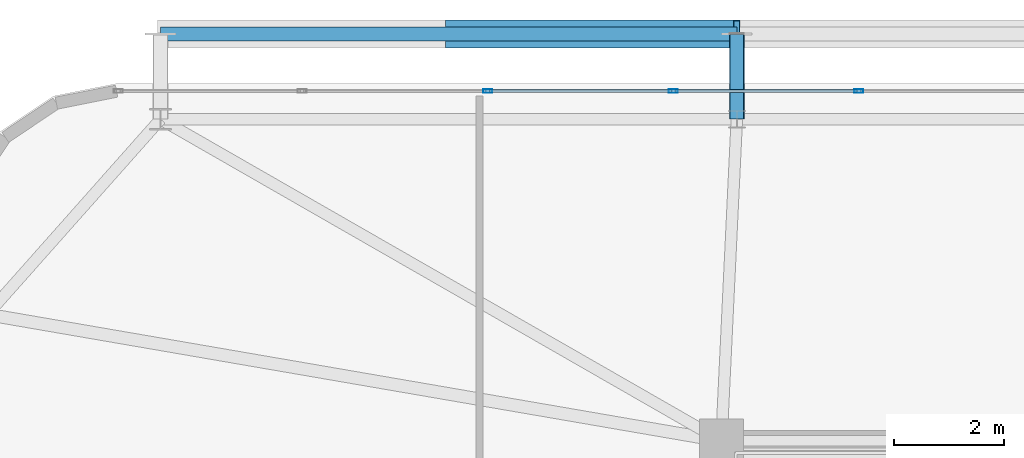
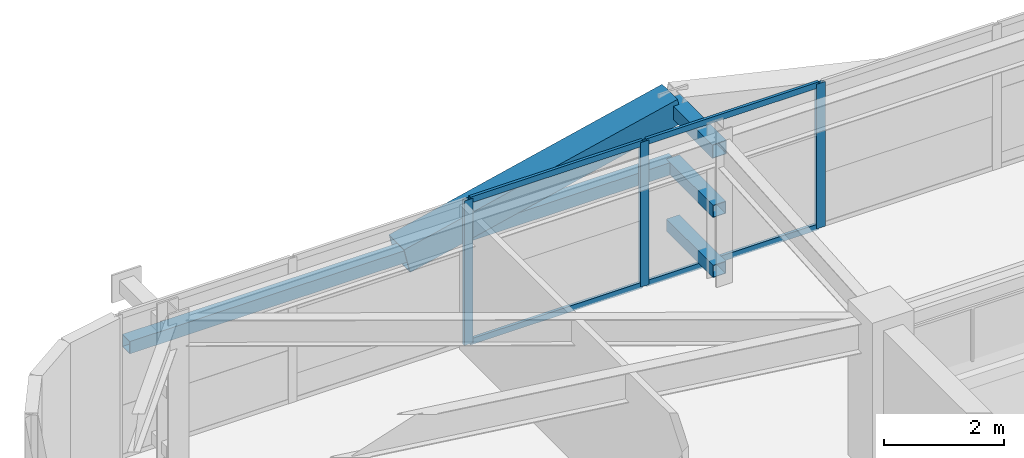
# One storey, part 35 of 58: 12 members, 1 element without a shape of its own.
"""IFC4 building model written with IfcOpenShell, lengths in metres."""

from ifc_helpers import new_model, si_unit, direction, frame, origin, origin_2d, place, context, subcontext, project, spatial, hollow_rectangle, extrude, source, transform, mapped, material, layer, layer_set, material_profile, profile_set, type_object, element, aggregate, save


model = new_model("IFC4")

# Units and contexts
model_context = context("Model", 3, precision=1e-05, world=origin(), true_north=direction((0.0, 1.0)))
body_context = subcontext(model_context, "Body", "Model", "MODEL_VIEW")
ifc_project = project(units=[si_unit("LENGTHUNIT", "METRE"), si_unit("AREAUNIT", "SQUARE_METRE"), si_unit("VOLUMEUNIT", "CUBIC_METRE"), si_unit("PLANEANGLEUNIT", "RADIAN"), si_unit("MASSUNIT", "GRAM", prefix="KILO")], contexts=[model_context])

# Site, building, storey
site_placement = place(None, origin())
site = spatial("IfcSite", under=ifc_project, at=site_placement, CompositionType="ELEMENT")
building_placement = place(site_placement, origin())
building = spatial("IfcBuilding", under=site, at=building_placement, Name="Taldren Reach Tower", CompositionType="ELEMENT")
storey_placement = place(building_placement, frame((0.0, 0.0, 35.699951171875)))
storey = spatial("IfcBuildingStorey", under=building, at=storey_placement, Name="L10", CompositionType="ELEMENT", Elevation=35.699951171875)

# Members
ifc_material_1 = material(Name="Steel Gr 450 (C450L0)", Category="steel")
ifc_material_profile_1 = material_profile(ifc_material_1, hollow_rectangle(XDim=0.27490234375, YDim=0.27490234375, WallThickness=0.00927734375, at=origin_2d()), Name="275x275x9.3SHS")
ifc_profile_set_1 = profile_set([ifc_material_profile_1], Name="Steel Gr 450 (C450L0)")
member_type_1 = type_object("IfcMemberType", Name="MB-TIE273", PredefinedType="STRUT", material=ifc_profile_set_1)
shared_shape_1 = source(origin(), body_context, "Body", "SweptSolid", [
    extrude(hollow_rectangle(XDim=0.27490234375, YDim=0.27490234375, WallThickness=0.00927734375, at=origin_2d()), origin(), (0.0, 0.0, 1.0), 1.5498046875),
])
member_1_placement = place(storey_placement, frame((19.280029296875, 37.85009765625, 2.650146484375), z_axis=(0.0, 1.0, 0.0), x_axis=(-1.0, 0.0, 0.0)))
element("IfcMember", 1, at=member_1_placement, inside=storey, type_object=member_type_1, Name="Exoskeleton diaphragm tie strut B1-N2 L10", PredefinedType="STRUT", context=body_context, shape_type="MappedRepresentation", body=[
    mapped(shared_shape_1, transform((0.0, 0.0, 0.0), scale=1.0)),
])
ifc_material_profile_2 = material_profile(ifc_material_1, hollow_rectangle(XDim=0.510009765625, YDim=0.510009765625, WallThickness=0.02001953125, at=origin_2d()), Name="510x510x20.0SHS")
ifc_profile_set_2 = profile_set([ifc_material_profile_2], Name="Steel Gr 450 (C450L0)")
member_type_2 = type_object("IfcMemberType", Name="MB-EXO508", PredefinedType="BRACE", material=ifc_profile_set_2)
shared_shape_2 = source(origin(), body_context, "Body", "SweptSolid", [
    extrude(hollow_rectangle(XDim=0.510009765625, YDim=0.510009765625, WallThickness=0.02001953125, at=origin_2d()), origin(), (0.0, 0.0, 1.0), 5.37890625),
])
member_2_placement = place(storey_placement, frame((14.0400390625, 39.39990234375, 1.43505859375), z_axis=(0.97415197996, 0.0, 0.225893603143), x_axis=(0.0, 1.0, 0.0)))
element("IfcMember", 2, at=member_2_placement, inside=storey, type_object=member_type_2, Name="Exoskeleton Diagrid Brace B1-N1 L10", PredefinedType="BRACE", context=body_context, shape_type="MappedRepresentation", body=[
    mapped(shared_shape_2, transform((0.0, 0.0, 0.0), scale=1.0)),
])
ifc_material_2 = material(Name="Steel Gr 350 (C350L0)", Category="steel")
ifc_material_profile_3 = material_profile(ifc_material_2, hollow_rectangle(XDim=0.25, YDim=0.25, WallThickness=0.010009765625, at=origin_2d()), Name="250x250x10.0SHS")
ifc_profile_set_3 = profile_set([ifc_material_profile_3], Name="Steel Gr 350 (C350L0)")
member_type_3 = type_object("IfcMemberType", Name="MB-POST250", PredefinedType="POST", material=ifc_profile_set_3)
shared_shape_3 = source(origin(), body_context, "Body", "SweptSolid", [
    extrude(hollow_rectangle(XDim=0.25, YDim=0.25, WallThickness=0.010009765625, at=origin_2d()), origin(), (0.0, 0.0, 1.0), 10.47998046875),
])
member_3_placement = place(storey_placement, frame((8.800048828125, 39.39990234375, 1.43505859375), z_axis=(1.0, 0.0, 0.0), x_axis=(0.0, 1.0, 0.0)))
element("IfcMember", 3, at=member_3_placement, inside=storey, type_object=member_type_3, Name="Exoskeleton mid-height ring chord B1-N1 L10", PredefinedType="POST", context=body_context, shape_type="MappedRepresentation", body=[
    mapped(shared_shape_3, transform((0.0, 0.0, 0.0), scale=1.0)),
])
shared_shape_4 = source(origin(), body_context, "Body", "SweptSolid", [
    extrude(hollow_rectangle(XDim=0.25, YDim=0.25, WallThickness=0.010009765625, at=origin_2d()), origin(), (0.0, 0.0, 1.0), 1.5498046875),
])
for number, where, z_axis, x_axis, name in (
    (4, (19.280029296875, 37.85009765625, 0.219970703125), (0.0, 1.0, 0.0), (-1.0, 0.0, 0.0), "Exoskeleton base diaphragm tie strut B1-N2 L10"),
    (5, (19.280029296875, 37.85009765625, 1.43505859375), (0.0, 1.0, 0.0), (-1.0, 0.0, 0.0), "Exoskeleton mid-tier diaphragm tie B1-N2 L10"),
):
    element("IfcMember", number, at=place(storey_placement, frame(where, z_axis=z_axis, x_axis=x_axis)), inside=storey, type_object=member_type_3, Name=name, PredefinedType="POST", context=body_context, shape_type="MappedRepresentation", body=[
        mapped(shared_shape_4, transform((0.0, 0.0, 0.0), scale=1.0)),
    ])

# Curtain wall, members
ifc_material_3 = material(Name="Aluminium and Low-E Glass Unitised System", Category="aluminium")
ifc_layer = layer(ifc_material_3, 0.159912109375)
ifc_layer_set = layer_set([ifc_layer], Name="Aluminium and Low-E Glass Unitised System")
curtain_wall_type = type_object("IfcCurtainWallType", Name="CW-SYS-2", PredefinedType="NOTDEFINED", material=ifc_layer_set)
curtain_wall_placement = place(storey_placement, origin())
curtain_wall = element("IfcCurtainWall", 6, at=curtain_wall_placement, inside=storey, type_object=curtain_wall_type, Name="Unitised curtain wall CW-L10-N", PredefinedType="NOTDEFINED")
ifc_material_4 = material(Name="Anodised Aluminium 6063-T6", Category="aluminium")
ifc_material_profile_4 = material_profile(ifc_material_4, hollow_rectangle(XDim=0.06494140625, YDim=0.1650390625, WallThickness=0.00390625, at=origin_2d()), Name="ALU-165x65x4RHS")
ifc_profile_set_4 = profile_set([ifc_material_profile_4], Name="Anodised Aluminium 6063-T6")
member_type_4 = type_object("IfcMemberType", Name="CW-MUL-165", PredefinedType="MULLION", material=ifc_profile_set_4)
shared_shape_5 = source(origin(), body_context, "Body", "SweptSolid", [
    extrude(hollow_rectangle(XDim=0.06494140625, YDim=0.1650390625, WallThickness=0.00390625, at=origin_2d()), origin(), (0.0, 0.0, 1.0), 2.929931640625),
])
member_4_placement = place(storey_placement, frame((21.5, 38.360107421875, 0.0), z_axis=(0.0, 0.0, 1.0), x_axis=(0.0, -1.0, 0.0)))
member_4 = element("IfcMember", 7, at=member_4_placement, type_object=member_type_4, Name="CW-2 mullion 13", PredefinedType="MULLION", context=body_context, shape_type="MappedRepresentation", body=[
    mapped(shared_shape_5, transform((0.0, 0.0, 0.0), scale=1.0)),
])
member_5_placement = place(storey_placement, frame((18.125, 38.360107421875, 0.0), z_axis=(0.0, 0.0, 1.0), x_axis=(0.0, -1.0, 0.0)))
member_5 = element("IfcMember", 8, at=member_5_placement, type_object=member_type_4, Name="CW-2 mullion 14", PredefinedType="MULLION", context=body_context, shape_type="MappedRepresentation", body=[
    mapped(shared_shape_5, transform((0.0, 0.0, 0.0), scale=1.0)),
])
member_6_placement = place(storey_placement, frame((14.75, 38.360107421875, 0.0), z_axis=(0.0, 0.0, 1.0), x_axis=(0.0, -1.0, 0.0)))
member_6 = element("IfcMember", 9, at=member_6_placement, type_object=member_type_4, Name="CW-2 mullion 15", PredefinedType="MULLION", context=body_context, shape_type="MappedRepresentation", body=[
    mapped(shared_shape_5, transform((0.0, 0.0, 0.0), scale=1.0)),
])
ifc_material_profile_5 = material_profile(ifc_material_4, hollow_rectangle(XDim=0.054931640625, YDim=0.1201171875, WallThickness=0.0029296875, at=origin_2d()), Name="ALU-120x55x3RHS")
ifc_profile_set_5 = profile_set([ifc_material_profile_5], Name="Anodised Aluminium 6063-T6")
member_type_5 = type_object("IfcMemberType", Name="CW-TRN-135", PredefinedType="USERDEFINED", material=ifc_profile_set_5)
shared_shape_6 = source(origin(), body_context, "Body", "SweptSolid", [
    extrude(hollow_rectangle(XDim=0.054931640625, YDim=0.1201171875, WallThickness=0.0029296875, at=origin_2d()), origin(), (0.0, 0.0, 1.0), 3.31005859375),
])
member_7_placement = place(storey_placement, frame((21.467529296875, 38.360107421875, 0.027587890625), z_axis=(-1.0, 0.0, 0.0), x_axis=(0.0, -1.0, 0.0)))
member_7 = element("IfcMember", 10, at=member_7_placement, type_object=member_type_5, Name="CW-2 transom 13.1", ObjectType="TRANSOM", PredefinedType="USERDEFINED", context=body_context, shape_type="MappedRepresentation", body=[
    mapped(shared_shape_6, transform((0.0, 0.0, 0.0), scale=1.0)),
])
member_8_placement = place(storey_placement, frame((21.467529296875, 38.360107421875, 2.902587890625), z_axis=(-1.0, 0.0, 0.0), x_axis=(0.0, -1.0, 0.0)))
member_8 = element("IfcMember", 11, at=member_8_placement, type_object=member_type_5, Name="CW-2 transom 13.2", ObjectType="TRANSOM", PredefinedType="USERDEFINED", context=body_context, shape_type="MappedRepresentation", body=[
    mapped(shared_shape_6, transform((0.0, 0.0, 0.0), scale=1.0)),
])
member_9_placement = place(storey_placement, frame((18.092529296875, 38.360107421875, 0.027587890625), z_axis=(-1.0, 0.0, 0.0), x_axis=(0.0, -1.0, 0.0)))
member_9 = element("IfcMember", 12, at=member_9_placement, type_object=member_type_5, Name="CW-2 transom 14.1", ObjectType="TRANSOM", PredefinedType="USERDEFINED", context=body_context, shape_type="MappedRepresentation", body=[
    mapped(shared_shape_6, transform((0.0, 0.0, 0.0), scale=1.0)),
])
member_10_placement = place(storey_placement, frame((18.092529296875, 38.360107421875, 2.902587890625), z_axis=(-1.0, 0.0, 0.0), x_axis=(0.0, -1.0, 0.0)))
member_10 = element("IfcMember", 13, at=member_10_placement, type_object=member_type_5, Name="CW-2 transom 14.2", ObjectType="TRANSOM", PredefinedType="USERDEFINED", context=body_context, shape_type="MappedRepresentation", body=[
    mapped(shared_shape_6, transform((0.0, 0.0, 0.0), scale=1.0)),
])
aggregate(curtain_wall, [member_4, member_5, member_6, member_7, member_8, member_9, member_10])

save(model, "model.ifc")
